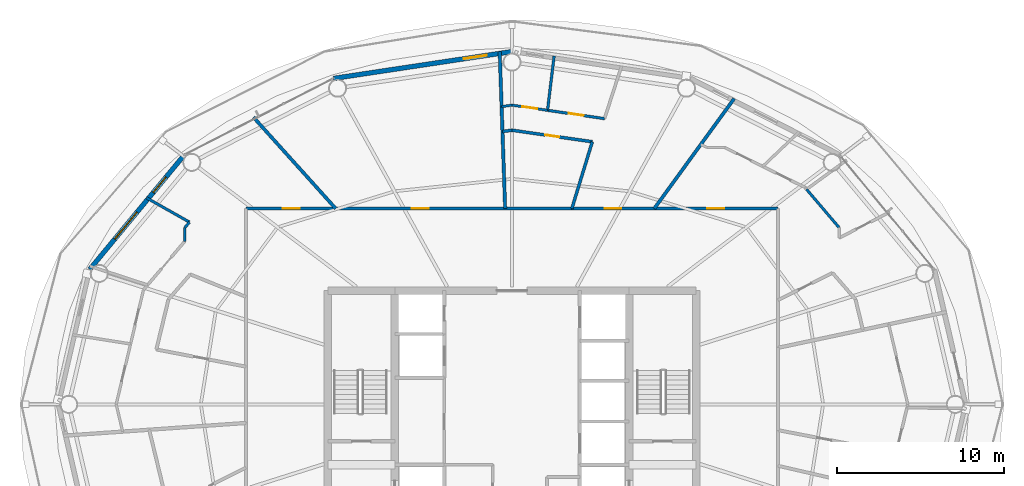
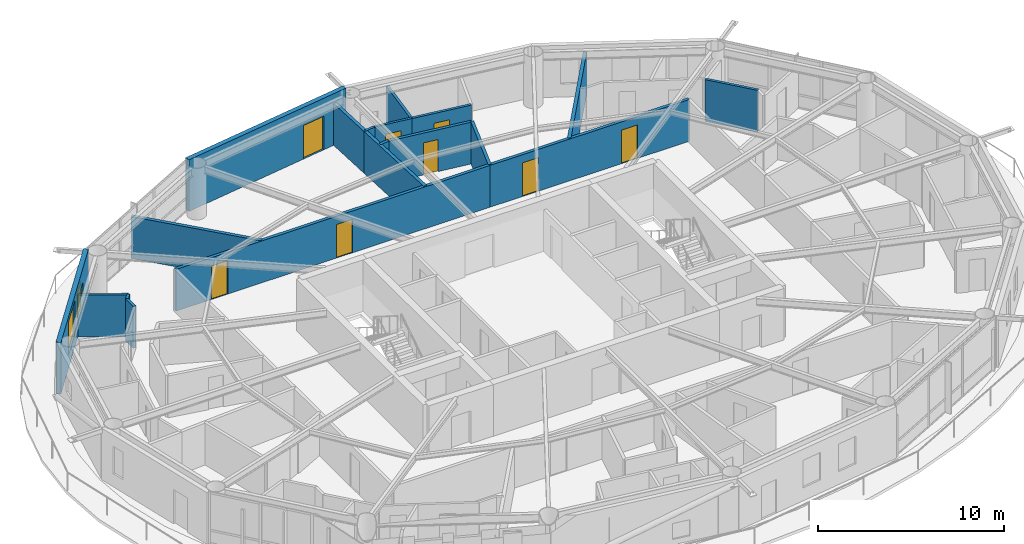
# One storey, part 25 of 30: 19 walls, 8 doors, 2 windows, 10 openings.
"""IFC4 building model written with IfcOpenShell, lengths in metres."""

from ifc_helpers import new_model, si_unit, direction, frame, frame_2d, origin, place, context, subcontext, project, spatial, rectangle, extrude, material, layer, layer_set, type_object, element, fill, save


model = new_model("IFC4")

# Units and contexts
model_context = context("Model", 3, precision=1e-05, world=origin(), true_north=direction((0.0, 1.0)))
body_context = subcontext(model_context, "Body", "Model", "MODEL_VIEW")
ifc_project = project(units=[si_unit("LENGTHUNIT", "METRE"), si_unit("AREAUNIT", "SQUARE_METRE"), si_unit("VOLUMEUNIT", "CUBIC_METRE"), si_unit("PLANEANGLEUNIT", "RADIAN"), si_unit("MASSUNIT", "GRAM", prefix="KILO")], contexts=[model_context])

# Site, building, storey
site_placement = place(None, origin())
site = spatial("IfcSite", under=ifc_project, at=site_placement, CompositionType="ELEMENT")
building_placement = place(site_placement, origin())
building = spatial("IfcBuilding", under=site, at=building_placement, Name="Sarneth Arch Tower", CompositionType="ELEMENT")
storey_placement = place(building_placement, frame((0.0, 0.0, 161.39990234375)))
storey = spatial("IfcBuildingStorey", under=building, at=storey_placement, Name="L40", CompositionType="ELEMENT", Elevation=161.39990234375)

# Wall, openings, doors
ifc_material_1 = material(Name="Double steel-stud corridor fire wall", Category="steel")
ifc_layer_1 = layer(ifc_material_1, 0.18994140625)
ifc_layer_set_1 = layer_set([ifc_layer_1], Name="Double steel-stud corridor fire wall")
wall_type_1 = type_object("IfcWallType", Name="WALL-CORR-190", PredefinedType="PARTITIONING", material=ifc_layer_set_1)
wall_1_placement = place(storey_placement, frame((32.10009765625, 53.699951171875, 0.0), z_axis=(0.0, 0.0, 1.0), x_axis=(1.0, 0.0, 0.0)))
wall_1 = element("IfcWall", 1, at=wall_1_placement, inside=storey, type_object=wall_type_1, Name="L40 Interior partition W-L40-TP-006", PredefinedType="PARTITIONING", context=body_context, shape_type="SweptSolid", body=[
    extrude(rectangle(XDim=19.476806640625, YDim=0.18994140625, at=frame_2d((9.73828125, 0.0))), origin(), (0.0, 0.0, 1.0), 2.739990234375),
])
opening_1_placement = place(wall_1_placement, frame((9.9228515625, 0.0, 0.0)))
opening_1 = element("IfcOpeningElement", 2, at=opening_1_placement, cuts=wall_1, Name="Opening FD-08", PredefinedType="OPENING", context=body_context, shape_type="SweptSolid", body=[
    extrude(rectangle(XDim=1.0, YDim=2.199951171875, at=frame_2d((0.5, 1.10009765625))), frame((0.0, 0.10498046875, 0.0), z_axis=(0.0, -1.0, 0.0), x_axis=(1.0, 0.0, 0.0)), (0.0, 0.0, 1.0), 0.2099609375),
])
opening_2_placement = place(wall_1_placement, frame((2.2041015625, 0.0, 0.0)))
opening_2 = element("IfcOpeningElement", 3, at=opening_2_placement, cuts=wall_1, Name="Opening FD-08", PredefinedType="OPENING", context=body_context, shape_type="SweptSolid", body=[
    extrude(rectangle(XDim=1.0, YDim=2.199951171875, at=frame_2d((0.5, 1.10009765625))), frame((0.0, 0.10498046875, 0.0), z_axis=(0.0, -1.0, 0.0), x_axis=(1.0, 0.0, 0.0)), (0.0, 0.0, 1.0), 0.2099609375),
])
ifc_material_2 = material(Name="Hardwood timber acoustic fire door", Category="wood")
door_type_1 = type_object("IfcDoorType", Name="DR-FD60-1000", OperationType="SINGLE_SWING_LEFT", PredefinedType="DOOR", material=ifc_material_2)
door_1_placement = place(opening_1_placement, origin())
door_1 = element("IfcDoor", 4, at=door_1_placement, inside=storey, type_object=door_type_1, Name="L40 Interior door DR-L40-RAMN-03", OperationType="SINGLE_SWING_RIGHT", OverallHeight=2.199951171875, OverallWidth=1.0, PredefinedType="DOOR", context=body_context, shape_type="SweptSolid", body=[
    extrude(rectangle(XDim=1.0, YDim=2.199951171875, at=frame_2d((0.5, 1.10009765625))), frame((0.0, 0.02490234375, 0.0), z_axis=(0.0, -1.0, 0.0), x_axis=(1.0, 0.0, 0.0)), (0.0, 0.0, 1.0), 0.050048828125),
])
fill(opening_1, door_1)
door_2_placement = place(opening_2_placement, origin())
door_2 = element("IfcDoor", 5, at=door_2_placement, inside=storey, type_object=door_type_1, Name="L40 Interior door DR-L40-U4-ENT", OperationType="SINGLE_SWING_LEFT", OverallHeight=2.199951171875, OverallWidth=1.0, PredefinedType="DOOR", context=body_context, shape_type="SweptSolid", body=[
    extrude(rectangle(XDim=1.0, YDim=2.199951171875, at=frame_2d((0.5, 1.10009765625))), frame((0.0, 0.02490234375, 0.0), z_axis=(0.0, -1.0, 0.0), x_axis=(1.0, 0.0, 0.0)), (0.0, 0.0, 1.0), 0.050048828125),
])
fill(opening_2, door_2)

wall_2_placement = place(storey_placement, frame((51.54345703125, 53.699951171875, 0.0), z_axis=(0.0, 0.0, 1.0), x_axis=(1.0, 0.0, 0.0)))
wall_2 = element("IfcWall", 6, at=wall_2_placement, inside=storey, type_object=wall_type_1, Name="L40 Interior partition W-L40-TP-001", PredefinedType="PARTITIONING", context=body_context, shape_type="SweptSolid", body=[
    extrude(rectangle(XDim=12.3564453125, YDim=0.18994140625, at=frame_2d((6.17822265625, 0.0))), origin(), (0.0, 0.0, 1.0), 2.739990234375),
])
opening_3_placement = place(wall_2_placement, frame((8.136962890625, 0.0, 0.0)))
opening_3 = element("IfcOpeningElement", 7, at=opening_3_placement, cuts=wall_2, Name="Opening FD-08", PredefinedType="OPENING", context=body_context, shape_type="SweptSolid", body=[
    extrude(rectangle(XDim=1.0, YDim=2.199951171875, at=frame_2d((0.5, 1.10009765625))), frame((0.0, 0.10498046875, 0.0), z_axis=(0.0, -1.0, 0.0), x_axis=(1.0, 0.0, 0.0)), (0.0, 0.0, 1.0), 0.2099609375),
])
opening_4_placement = place(wall_2_placement, frame((1.998291015625, 0.0, 0.0)))
opening_4 = element("IfcOpeningElement", 8, at=opening_4_placement, cuts=wall_2, Name="Opening FD-08", PredefinedType="OPENING", context=body_context, shape_type="SweptSolid", body=[
    extrude(rectangle(XDim=1.0, YDim=2.199951171875, at=frame_2d((0.5, 1.10009765625))), frame((0.0, 0.10498046875, 0.0), z_axis=(0.0, -1.0, 0.0), x_axis=(1.0, 0.0, 0.0)), (0.0, 0.0, 1.0), 0.2099609375),
])
door_3_placement = place(opening_3_placement, origin())
door_3 = element("IfcDoor", 9, at=door_3_placement, inside=storey, type_object=door_type_1, Name="L40 Interior door DR-L40-U1-ENT", OperationType="SINGLE_SWING_LEFT", OverallHeight=2.199951171875, OverallWidth=1.0, PredefinedType="DOOR", context=body_context, shape_type="SweptSolid", body=[
    extrude(rectangle(XDim=1.0, YDim=2.199951171875, at=frame_2d((0.5, 1.10009765625))), frame((0.0, 0.02490234375, 0.0), z_axis=(0.0, -1.0, 0.0), x_axis=(1.0, 0.0, 0.0)), (0.0, 0.0, 1.0), 0.050048828125),
])
fill(opening_3, door_3)
door_4_placement = place(opening_4_placement, origin())
door_4 = element("IfcDoor", 10, at=door_4_placement, inside=storey, type_object=door_type_1, Name="L40 Interior door DR-L40-U2-ENT", OperationType="SINGLE_SWING_RIGHT", OverallHeight=2.199951171875, OverallWidth=1.0, PredefinedType="DOOR", context=body_context, shape_type="SweptSolid", body=[
    extrude(rectangle(XDim=1.0, YDim=2.199951171875, at=frame_2d((0.5, 1.10009765625))), frame((0.0, 0.02490234375, 0.0), z_axis=(0.0, -1.0, 0.0), x_axis=(1.0, 0.0, 0.0)), (0.0, 0.0, 1.0), 0.050048828125),
])
fill(opening_4, door_4)

# Wall, opening, door
ifc_material_3 = material(Name="Extruded terracotta rainscreen on Concrete C40/50 backing", Category="masonry")
ifc_layer_2 = layer(ifc_material_3, 0.280029296875)
ifc_layer_set_2 = layer_set([ifc_layer_2], Name="Extruded terracotta rainscreen on Concrete C40/50 backing")
wall_type_2 = type_object("IfcWallType", Name="WALL-EXT-TERRA-280", PredefinedType="SOLIDWALL", material=ifc_layer_set_2)
wall_3_placement = place(storey_placement, frame((48.0, 63.080078125, 0.0), z_axis=(0.0, 0.0, 1.0), x_axis=(-0.988863993413, -0.148822049884, 0.0)))
wall_3 = element("IfcWall", 11, at=wall_3_placement, inside=storey, type_object=wall_type_2, Name="L40 Terracotta perimeter wall 05", PredefinedType="SOLIDWALL", context=body_context, shape_type="SweptSolid", body=[
    extrude(rectangle(XDim=10.782958984375, YDim=0.280029296875, at=frame_2d((5.3916015625, 0.0))), origin(), (0.0, 0.0, 1.0), 3.380126953125),
])
opening_5_placement = place(wall_3_placement, frame((1.523681640625, 0.0, 0.0)))
opening_5 = element("IfcOpeningElement", 12, at=opening_5_placement, cuts=wall_3, Name="Opening BD-2", PredefinedType="OPENING", context=body_context, shape_type="SweptSolid", body=[
    extrude(rectangle(XDim=1.39990234375, YDim=2.199951171875, at=frame_2d((0.699951171875, 1.10009765625))), frame((0.0, 0.14990234375, 0.0), z_axis=(0.0, -1.0, 0.0), x_axis=(1.0, 0.0, 0.0)), (0.0, 0.0, 1.0), 0.300048828125),
])
ifc_material_4 = material(Name="Thermally broken Aluminium 6063-T6 and laminated safety glass", Category="aluminium")
door_type_2 = type_object("IfcDoorType", Name="DR-BALC-GLZ-1400", OperationType="SINGLE_SWING_LEFT", PredefinedType="DOOR", material=ifc_material_4)
door_5_placement = place(opening_5_placement, origin())
door_5 = element("IfcDoor", 13, at=door_5_placement, inside=storey, type_object=door_type_2, Name="L40 Balcony glazed door 05", OperationType="SINGLE_SWING_LEFT", OverallHeight=2.199951171875, OverallWidth=1.39990234375, PredefinedType="DOOR", context=body_context, shape_type="SweptSolid", body=[
    extrude(rectangle(XDim=1.39990234375, YDim=2.199951171875, at=frame_2d((0.699951171875, 1.10009765625))), frame((0.0, 0.02490234375, 0.0), z_axis=(0.0, -1.0, 0.0), x_axis=(1.0, 0.0, 0.0)), (0.0, 0.0, 1.0), 0.050048828125),
])
fill(opening_5, door_5)

# Wall, openings, windows
wall_4_placement = place(storey_placement, frame((28.423828125, 56.90576171875, 0.0), z_axis=(0.0, 0.0, 1.0), x_axis=(-0.637333477683, -0.770588111915, 0.0)))
wall_4 = element("IfcWall", 14, at=wall_4_placement, inside=storey, type_object=wall_type_2, Name="L40 Terracotta perimeter wall 07", PredefinedType="SOLIDWALL", context=body_context, shape_type="SweptSolid", body=[
    extrude(rectangle(XDim=8.874755859375, YDim=0.280029296875, at=frame_2d((4.4375, 0.0))), origin(), (0.0, 0.0, 1.0), 3.380126953125),
])
opening_6_placement = place(wall_4_placement, frame((1.71630859375, 0.0, 0.85009765625)))
opening_6 = element("IfcOpeningElement", 15, at=opening_6_placement, cuts=wall_4, Name="Opening W-10", PredefinedType="OPENING", context=body_context, shape_type="SweptSolid", body=[
    extrude(rectangle(XDim=1.199951171875, YDim=1.60009765625, at=frame_2d((0.60009765625, 0.800048828125))), frame((0.0, 0.14990234375, 0.0), z_axis=(0.0, -1.0, 0.0), x_axis=(1.0, 0.0, 0.0)), (0.0, 0.0, 1.0), 0.300048828125),
])
opening_7_placement = place(wall_4_placement, frame((4.43408203125, 0.0, 0.85009765625)))
opening_7 = element("IfcOpeningElement", 16, at=opening_7_placement, cuts=wall_4, Name="Opening W-03", PredefinedType="OPENING", context=body_context, shape_type="SweptSolid", body=[
    extrude(rectangle(XDim=2.10009765625, YDim=2.199951171875, at=frame_2d((1.050048828125, 1.10009765625))), frame((0.0, 0.14990234375, 0.0), z_axis=(0.0, -1.0, 0.0), x_axis=(1.0, 0.0, 0.0)), (0.0, 0.0, 1.0), 0.300048828125),
])
ifc_material_5 = material(Name="Thermally broken Aluminium 6063-T6 and low-e laminated IGU", Category="aluminium")
window_type_1 = type_object("IfcWindowType", Name="WIN-TWR-1200x1600", PartitioningType="SINGLE_PANEL", PredefinedType="WINDOW", material=ifc_material_5)
window_1_placement = place(opening_6_placement, origin())
window_1 = element("IfcWindow", 17, at=window_1_placement, inside=storey, type_object=window_type_1, Name="L40 Exterior window 07A", OverallHeight=1.60009765625, OverallWidth=1.199951171875, PartitioningType="SINGLE_PANEL", PredefinedType="WINDOW", context=body_context, shape_type="SweptSolid", body=[
    extrude(rectangle(XDim=1.199951171875, YDim=1.60009765625, at=frame_2d((0.60009765625, 0.800048828125))), frame((0.0, 0.030029296875, 0.0), z_axis=(0.0, -1.0, 0.0), x_axis=(1.0, 0.0, 0.0)), (0.0, 0.0, 1.0), 0.06005859375),
])
fill(opening_6, window_1)
ifc_material_6 = material(Name="Thermally broken Aluminium 6063-T6 and low-e laminated IGU", Category="aluminium")
window_type_2 = type_object("IfcWindowType", Name="WIN-TWR-2100x2200", PartitioningType="DOUBLE_PANEL_VERTICAL", PredefinedType="WINDOW", material=ifc_material_6)
window_2_placement = place(opening_7_placement, origin())
window_2 = element("IfcWindow", 18, at=window_2_placement, inside=storey, type_object=window_type_2, Name="L40 Exterior window 07B", OverallHeight=2.199951171875, OverallWidth=2.10009765625, PartitioningType="SINGLE_PANEL", PredefinedType="WINDOW", context=body_context, shape_type="SweptSolid", body=[
    extrude(rectangle(XDim=2.10009765625, YDim=2.199951171875, at=frame_2d((1.050048828125, 1.10009765625))), frame((0.0, 0.030029296875, 0.0), z_axis=(0.0, -1.0, 0.0), x_axis=(1.0, 0.0, 0.0)), (0.0, 0.0, 1.0), 0.06005859375),
])
fill(opening_7, window_2)

# Wall, opening, door
ifc_material_7 = material(Name="Acoustic gypsum stud partition", Category="gypsum")
ifc_layer_3 = layer(ifc_material_7, 0.14990234375)
ifc_layer_set_3 = layer_set([ifc_layer_3], Name="Acoustic gypsum stud partition")
wall_type_3 = type_object("IfcWallType", Name="WALL-PART-150", PredefinedType="PARTITIONING", material=ifc_layer_set_3)
wall_5_placement = place(storey_placement, frame((50.1240234375, 59.5693359375, 0.0), z_axis=(0.0, 0.0, 1.0), x_axis=(-0.989480132544, 0.144668819379, 0.0)))
wall_5 = element("IfcWall", 19, at=wall_5_placement, inside=storey, type_object=wall_type_3, Name="L40 Interior partition W-L40-TP-046", PredefinedType="PARTITIONING", context=body_context, shape_type="SweptSolid", body=[
    extrude(rectangle(XDim=2.146484375, YDim=0.14990234375, at=frame_2d((1.0732421875, 0.0))), origin(), (0.0, 0.0, 1.0), 2.739990234375),
])
opening_8_placement = place(wall_5_placement, frame((0.623291015625, 0.0, 0.0)))
opening_8 = element("IfcOpeningElement", 20, at=opening_8_placement, cuts=wall_5, Name="Opening ID-01", PredefinedType="OPENING", context=body_context, shape_type="SweptSolid", body=[
    extrude(rectangle(XDim=0.89990234375, YDim=2.10009765625, at=frame_2d((0.449951171875, 1.050048828125))), frame((0.0, 0.0849609375, 0.0), z_axis=(0.0, -1.0, 0.0), x_axis=(1.0, 0.0, 0.0)), (0.0, 0.0, 1.0), 0.169921875),
])
ifc_material_8 = material(Name="Engineered hardwood flush door", Category="wood")
door_type_3 = type_object("IfcDoorType", Name="DR-INT-900", OperationType="SINGLE_SWING_LEFT", PredefinedType="DOOR", material=ifc_material_8)
door_6_placement = place(opening_8_placement, origin())
door_6 = element("IfcDoor", 21, at=door_6_placement, inside=storey, type_object=door_type_3, Name="L40 Interior door DR-L40-U2-BED1", OperationType="SINGLE_SWING_RIGHT", OverallHeight=2.10009765625, OverallWidth=0.89990234375, PredefinedType="DOOR", context=body_context, shape_type="SweptSolid", body=[
    extrude(rectangle(XDim=0.89990234375, YDim=2.10009765625, at=frame_2d((0.449951171875, 1.050048828125))), frame((0.0, 0.02490234375, 0.0), z_axis=(0.0, -1.0, 0.0), x_axis=(1.0, 0.0, 0.0)), (0.0, 0.0, 1.0), 0.050048828125),
])
fill(opening_8, door_6)

# Wall
wall_6_placement = place(storey_placement, frame((48.0, 59.8798828125, 0.0), z_axis=(0.0, 0.0, 1.0), x_axis=(-0.989477367745, -0.144687728302, 0.0)))
element("IfcWall", 22, at=wall_6_placement, inside=storey, type_object=wall_type_3, Name="L40 Interior partition W-L40-TP-047", PredefinedType="PARTITIONING", context=body_context, shape_type="SweptSolid", body=[
    extrude(rectangle(XDim=0.627685546875, YDim=0.14990234375, at=frame_2d((0.31396484375, 0.0))), origin(), (0.0, 0.0, 1.0), 2.739990234375),
])

# Wall, opening, door
ifc_material_9 = material(Name="Kitchen wet service chase wall", Category="gypsum")
ifc_layer_4 = layer(ifc_material_9, 0.159912109375)
ifc_layer_set_4 = layer_set([ifc_layer_4], Name="Kitchen wet service chase wall")
wall_type_4 = type_object("IfcWallType", Name="WALL-PLUMB-160", PredefinedType="PLUMBINGWALL", material=ifc_layer_set_4)
wall_7_placement = place(storey_placement, frame((53.528076171875, 59.0712890625, 0.0), z_axis=(0.0, 0.0, 1.0), x_axis=(-0.989465527394, 0.144768677895, 0.0)))
wall_7 = element("IfcWall", 23, at=wall_7_placement, inside=storey, type_object=wall_type_4, Name="L40 Interior partition W-L40-TP-042", PredefinedType="PLUMBINGWALL", context=body_context, shape_type="SweptSolid", body=[
    extrude(rectangle(XDim=3.440185546875, YDim=0.159912109375, at=frame_2d((1.72021484375, 0.0))), origin(), (0.0, 0.0, 1.0), 2.739990234375),
])
opening_9_placement = place(wall_7_placement, frame((1.27001953125, 0.0, 0.0)))
opening_9 = element("IfcOpeningElement", 24, at=opening_9_placement, cuts=wall_7, Name="Opening ID-01", PredefinedType="OPENING", context=body_context, shape_type="SweptSolid", body=[
    extrude(rectangle(XDim=0.89990234375, YDim=2.10009765625, at=frame_2d((0.449951171875, 1.050048828125))), frame((0.0, 0.08984375, 0.0), z_axis=(0.0, -1.0, 0.0), x_axis=(1.0, 0.0, 0.0)), (0.0, 0.0, 1.0), 0.179931640625),
])
door_7_placement = place(opening_9_placement, origin())
door_7 = element("IfcDoor", 25, at=door_7_placement, inside=storey, type_object=door_type_3, Name="L40 Interior door DR-L40-U2-KIT", OperationType="SINGLE_SWING_LEFT", OverallHeight=2.10009765625, OverallWidth=0.89990234375, PredefinedType="DOOR", context=body_context, shape_type="SweptSolid", body=[
    extrude(rectangle(XDim=0.89990234375, YDim=2.10009765625, at=frame_2d((0.449951171875, 1.050048828125))), frame((0.0, 0.02490234375, 0.0), z_axis=(0.0, -1.0, 0.0), x_axis=(1.0, 0.0, 0.0)), (0.0, 0.0, 1.0), 0.050048828125),
])
fill(opening_9, door_7)

# Walls
wall_8_placement = place(storey_placement, frame((50.1240234375, 59.5693359375, 0.0), z_axis=(0.0, 0.0, 1.0), x_axis=(0.120026534479, 0.992770684006, 0.0)))
element("IfcWall", 26, at=wall_8_placement, inside=storey, type_object=wall_type_4, Name="L40 Interior partition W-L40-TP-049", PredefinedType="PLUMBINGWALL", context=body_context, shape_type="SweptSolid", body=[
    extrude(rectangle(XDim=3.27685546875, YDim=0.159912109375, at=frame_2d((1.638427734375, 0.0))), origin(), (0.0, 0.0, 1.0), 2.739990234375),
])
wall_9_placement = place(storey_placement, frame((67.550048828125, 52.556640625, 0.0), z_axis=(0.0, 0.0, 1.0), x_axis=(-0.64791931309, 0.761708975742, 0.0)))
element("IfcWall", 27, at=wall_9_placement, inside=storey, type_object=wall_type_4, Name="L40 Interior partition W-L40-TP-025", PredefinedType="PLUMBINGWALL", context=body_context, shape_type="SweptSolid", body=[
    extrude(rectangle(XDim=3.008056640625, YDim=0.159912109375, at=frame_2d((1.50390625, 0.0))), origin(), (0.0, 0.0, 1.0), 2.739990234375),
])
wall_10_placement = place(storey_placement, frame((26.15234375, 54.3447265625, 0.0), z_axis=(0.0, 0.0, 1.0), x_axis=(0.870631902874, -0.491935046219, 0.0)))
element("IfcWall", 28, at=wall_10_placement, inside=storey, type_object=wall_type_4, Name="L40 Interior partition W-L40-TP-053", PredefinedType="PLUMBINGWALL", context=body_context, shape_type="SweptSolid", body=[
    extrude(rectangle(XDim=2.96240234375, YDim=0.159912109375, at=frame_2d((1.481201171875, 0.0))), origin(), (0.0, 0.0, 1.0), 2.739990234375),
])
wall_11_placement = place(storey_placement, frame((28.449951171875, 52.556640625, 0.0), z_axis=(0.0, 0.0, 1.0), x_axis=(0.0, -1.0, 0.0)))
element("IfcWall", 29, at=wall_11_placement, inside=storey, type_object=wall_type_4, Name="L40 Interior partition W-L40-TP-055", PredefinedType="PLUMBINGWALL", context=body_context, shape_type="SweptSolid", body=[
    extrude(rectangle(XDim=0.812255859375, YDim=0.159912109375, at=frame_2d((0.40625, 0.0))), origin(), (0.0, 0.0, 1.0), 2.739990234375),
])
wall_12_placement = place(storey_placement, frame((28.7314453125, 52.887451171875, 0.0), z_axis=(0.0, 0.0, 1.0), x_axis=(-0.648056208932, -0.761592509196, 0.0)))
element("IfcWall", 30, at=wall_12_placement, inside=storey, type_object=wall_type_4, Name="L40 Interior partition W-L40-TP-054", PredefinedType="PLUMBINGWALL", context=body_context, shape_type="SweptSolid", body=[
    extrude(rectangle(XDim=0.434326171875, YDim=0.159912109375, at=frame_2d((0.21728515625, 0.0))), origin(), (0.0, 0.0, 1.0), 2.739990234375),
])

# Wall, opening, door
ifc_material_10 = material(Name="Moisture-resistant plumbing chase wall", Category="gypsum")
ifc_layer_5 = layer(ifc_material_10, 0.179931640625)
ifc_layer_set_5 = layer_set([ifc_layer_5], Name="Moisture-resistant plumbing chase wall")
wall_type_5 = type_object("IfcWallType", Name="WALL-PLUMB-180", PredefinedType="PLUMBINGWALL", material=ifc_layer_set_5)
wall_13_placement = place(storey_placement, frame((48.0, 58.3798828125, 0.0), z_axis=(0.0, 0.0, 1.0), x_axis=(0.989829244093, -0.142260562131, 0.0)))
wall_13 = element("IfcWall", 31, at=wall_13_placement, inside=storey, type_object=wall_type_5, Name="L40 Interior partition W-L40-TP-044", PredefinedType="PLUMBINGWALL", context=body_context, shape_type="SweptSolid", body=[
    extrude(rectangle(XDim=4.846435546875, YDim=0.179931640625, at=frame_2d((2.42333984375, 0.0))), origin(), (0.0, 0.0, 1.0), 2.739990234375),
])
opening_10_placement = place(wall_13_placement, frame((1.998291015625, 0.0, 0.0)))
opening_10 = element("IfcOpeningElement", 32, at=opening_10_placement, cuts=wall_13, Name="Opening ID-02", PredefinedType="OPENING", context=body_context, shape_type="SweptSolid", body=[
    extrude(rectangle(XDim=0.85009765625, YDim=2.10009765625, at=frame_2d((0.425048828125, 1.050048828125))), frame((0.0, 0.099853515625, 0.0), z_axis=(0.0, -1.0, 0.0), x_axis=(1.0, 0.0, 0.0)), (0.0, 0.0, 1.0), 0.199951171875),
])
ifc_material_11 = material(Name="Moisture-resistant bathroom timber door", Category="wood")
door_type_4 = type_object("IfcDoorType", Name="DR-INT-850", OperationType="SINGLE_SWING_RIGHT", PredefinedType="DOOR", material=ifc_material_11)
door_8_placement = place(opening_10_placement, origin())
door_8 = element("IfcDoor", 33, at=door_8_placement, inside=storey, type_object=door_type_4, Name="L40 Interior door DR-L40-U2-BATH", OperationType="SINGLE_SWING_LEFT", OverallHeight=2.10009765625, OverallWidth=0.85009765625, PredefinedType="DOOR", context=body_context, shape_type="SweptSolid", body=[
    extrude(rectangle(XDim=0.85009765625, YDim=2.10009765625, at=frame_2d((0.425048828125, 1.050048828125))), frame((0.0, 0.02490234375, 0.0), z_axis=(0.0, -1.0, 0.0), x_axis=(1.0, 0.0, 0.0)), (0.0, 0.0, 1.0), 0.050048828125),
])
fill(opening_10, door_8)

# Walls
wall_14_placement = place(storey_placement, frame((52.797119140625, 57.6904296875, 0.0), z_axis=(0.0, 0.0, 1.0), x_axis=(-0.29241622154, -0.956291144673, 0.0)))
element("IfcWall", 34, at=wall_14_placement, inside=storey, type_object=wall_type_5, Name="L40 Interior partition W-L40-TP-045", PredefinedType="PLUMBINGWALL", context=body_context, shape_type="SweptSolid", body=[
    extrude(rectangle(XDim=4.1728515625, YDim=0.179931640625, at=frame_2d((2.08642578125, 0.0))), origin(), (0.0, 0.0, 1.0), 2.739990234375),
])
wall_15_placement = place(storey_placement, frame((47.430908203125, 58.298095703125, 0.0), z_axis=(0.0, 0.0, 1.0), x_axis=(0.989830245264, 0.142253595952, 0.0)))
element("IfcWall", 35, at=wall_15_placement, inside=storey, type_object=wall_type_5, Name="L40 Interior partition W-L40-TP-043", PredefinedType="PLUMBINGWALL", context=body_context, shape_type="SweptSolid", body=[
    extrude(rectangle(XDim=0.574951171875, YDim=0.179931640625, at=frame_2d((0.28759765625, 0.0))), origin(), (0.0, 0.0, 1.0), 2.739990234375),
])
ifc_material_12 = material(Name="Double steel-stud acoustic drywall", Category="steel")
ifc_layer_6 = layer(ifc_material_12, 0.199951171875)
ifc_layer_set_6 = layer_set([ifc_layer_6], Name="Double steel-stud acoustic drywall")
wall_type_6 = type_object("IfcWallType", Name="WALL-UNIT-200", PredefinedType="PARTITIONING", material=ifc_layer_set_6)
wall_16_placement = place(storey_placement, frame((37.46533203125, 53.699951171875, 0.0), z_axis=(0.0, 0.0, 1.0), x_axis=(-0.669128292476, 0.7431469089, 0.0)))
element("IfcWall", 36, at=wall_16_placement, inside=storey, type_object=wall_type_6, Name="L40 Interior partition W-L40-TP-052", PredefinedType="PARTITIONING", context=body_context, shape_type="SweptSolid", body=[
    extrude(rectangle(XDim=7.3388671875, YDim=0.199951171875, at=frame_2d((3.66943359375, 0.0))), origin(), (0.0, 0.0, 1.0), 2.739990234375),
])
wall_17_placement = place(storey_placement, frame((61.27392578125, 60.27001953125, 0.0), z_axis=(0.0, 0.0, 1.0), x_axis=(-0.587785528328, -0.809016793823, 0.0)))
element("IfcWall", 37, at=wall_17_placement, inside=storey, type_object=wall_type_6, Name="L40 Interior partition W-L40-TP-034", PredefinedType="PARTITIONING", context=body_context, shape_type="SweptSolid", body=[
    extrude(rectangle(XDim=8.12109375, YDim=0.199951171875, at=frame_2d((4.060546875, 0.0))), origin(), (0.0, 0.0, 1.0), 2.739990234375),
])
wall_18_placement = place(storey_placement, frame((47.377685546875, 59.8212890625, 0.0), z_axis=(0.0, 0.0, 1.0), x_axis=(0.034876866147, -0.999391617039, 0.0)))
element("IfcWall", 38, at=wall_18_placement, inside=storey, type_object=wall_type_6, Name="L40 Interior partition W-L40-TP-050", PredefinedType="PARTITIONING", context=body_context, shape_type="SweptSolid", body=[
    extrude(rectangle(XDim=6.125, YDim=0.199951171875, at=frame_2d((3.0625, 0.0))), origin(), (0.0, 0.0, 1.0), 2.739990234375),
])
wall_19_placement = place(storey_placement, frame((47.263427734375, 63.089599609375, 0.0), z_axis=(0.0, 0.0, 1.0), x_axis=(0.034921182562, -0.999390069497, 0.0)))
element("IfcWall", 39, at=wall_19_placement, inside=storey, type_object=wall_type_6, Name="L40 Interior partition W-L40-TP-051", PredefinedType="PARTITIONING", context=body_context, shape_type="SweptSolid", body=[
    extrude(rectangle(XDim=3.334716796875, YDim=0.199951171875, at=frame_2d((1.66748046875, 0.0))), origin(), (0.0, 0.0, 1.0), 2.739990234375),
])

save(model, "model.ifc")
